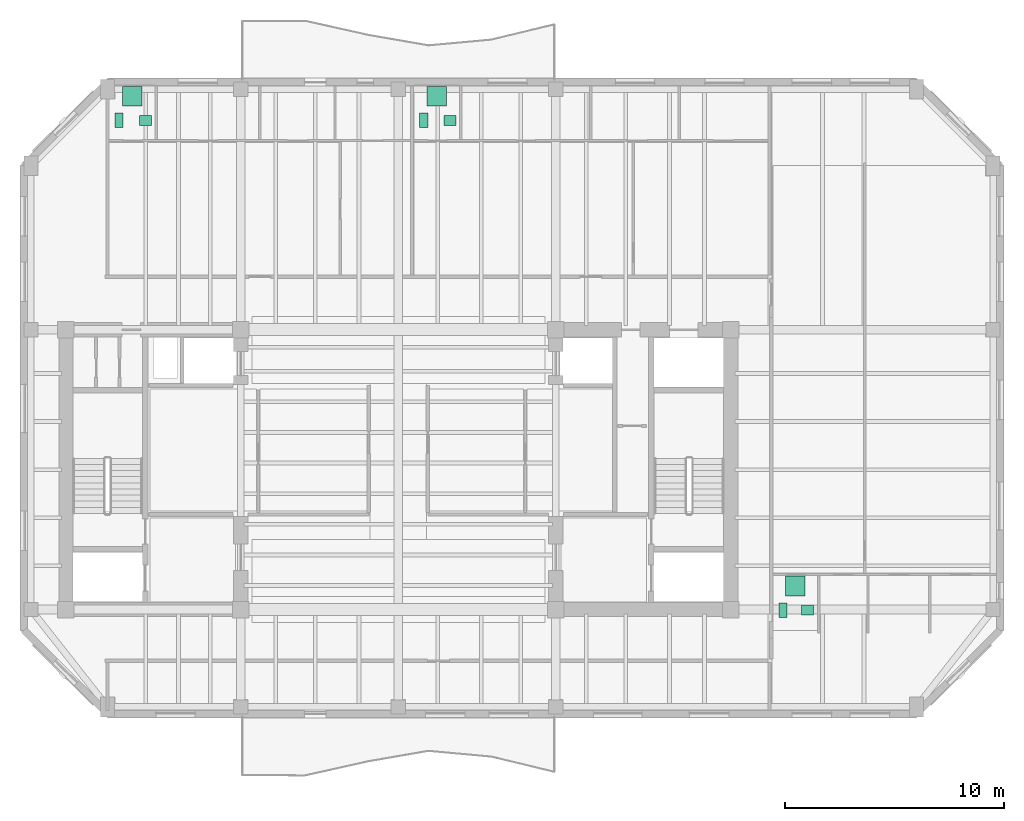
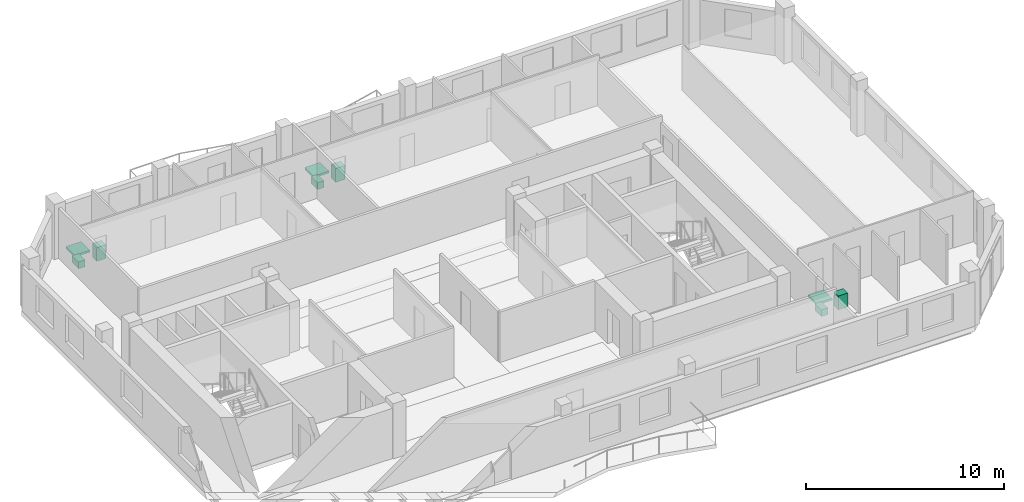
# One storey, part 9 of 9: 9 sanitary terminals.
"""IFC4 building model written with IfcOpenShell, lengths in metres."""

from ifc_helpers import new_model, si_unit, direction, frame, origin, origin_2d, place, context, subcontext, project, spatial, rectangle, extrude, material, type_object, element, save


model = new_model("IFC4")

# Units and contexts
model_context = context("Model", 3, precision=1e-05, world=origin(), true_north=direction((0.0, 1.0)))
body_context = subcontext(model_context, "Body", "Model", "MODEL_VIEW")
ifc_project = project(units=[si_unit("LENGTHUNIT", "METRE"), si_unit("AREAUNIT", "SQUARE_METRE"), si_unit("VOLUMEUNIT", "CUBIC_METRE"), si_unit("PLANEANGLEUNIT", "RADIAN"), si_unit("MASSUNIT", "GRAM", prefix="KILO")], contexts=[model_context])

# Site, building, storey
site_placement = place(None, origin())
site = spatial("IfcSite", under=ifc_project, at=site_placement, CompositionType="ELEMENT")
building_placement = place(site_placement, origin())
building = spatial("IfcBuilding", under=site, at=building_placement, Name="Kranthara Brick Stack", CompositionType="ELEMENT")
storey_placement = place(building_placement, frame((0.0, 0.0, 255.10009765625)))
storey = spatial("IfcBuildingStorey", under=building, at=storey_placement, Name="L67", CompositionType="ELEMENT", Elevation=255.10009765625)

# Sanitary terminals
ifc_material_1 = material(Name="Vitreous china sanitary porcelain", Category="other")
sanitary_terminal_type_1 = type_object("IfcSanitaryTerminalType", Name="SAN-BASIN", PredefinedType="WASHHANDBASIN", material=ifc_material_1)
for number, where, z_axis, x_axis, name in (
    (1, (16.429931640625, 43.175048828125, -0.000244140625), (0.0, 0.0, 1.0), (1.0, 0.0, 0.0), "L67 Washbasin 349"),
    (2, (30.35888671875, 43.175048828125, -0.000244140625), (0.0, 0.0, 1.0), (1.0, 0.0, 0.0), "L67 Washbasin 350"),
    (3, (46.72412109375, 20.77490234375, -0.000244140625), (0.0, 0.0, 1.0), (1.0, 0.0, 0.0), "L67 Washbasin 351"),
):
    element("IfcSanitaryTerminal", number, at=place(storey_placement, frame(where, z_axis=z_axis, x_axis=x_axis)), inside=storey, type_object=sanitary_terminal_type_1, Name=name, PredefinedType="WASHHANDBASIN", context=body_context, shape_type="SweptSolid", body=[
        extrude(rectangle(XDim=0.550048828125, YDim=0.449951171875, at=origin_2d()), origin(), (0.0, 0.0, 1.0), 0.85009765625),
    ])
ifc_material_2 = material(Name="Acrylic and porcelain shower tray", Category="other")
sanitary_terminal_type_2 = type_object("IfcSanitaryTerminalType", Name="SAN-SHOWER", PredefinedType="SHOWER", material=ifc_material_2)
for number, where, z_axis, x_axis, name in (
    (4, (15.830078125, 44.280029296875, -0.000244140625), (0.0, 0.0, 1.0), (1.0, 0.0, 0.0), "L67 Shower Tray 349"),
    (5, (29.759033203125, 44.280029296875, -0.000244140625), (0.0, 0.0, 1.0), (1.0, 0.0, 0.0), "L67 Shower Tray 350"),
    (6, (46.156982421875, 21.8798828125, -0.000244140625), (0.0, 0.0, 1.0), (1.0, 0.0, 0.0), "L67 Shower Tray 351"),
):
    element("IfcSanitaryTerminal", number, at=place(storey_placement, frame(where, z_axis=z_axis, x_axis=x_axis)), inside=storey, type_object=sanitary_terminal_type_2, Name=name, PredefinedType="SHOWER", context=body_context, shape_type="SweptSolid", body=[
        extrude(rectangle(XDim=0.89990234375, YDim=0.89990234375, at=origin_2d()), origin(), (0.0, 0.0, 1.0), 0.1201171875),
    ])
ifc_material_3 = material(Name="Vitreous china sanitary porcelain", Category="other")
sanitary_terminal_type_3 = type_object("IfcSanitaryTerminalType", Name="SAN-WC-PAN", PredefinedType="TOILETPAN", material=ifc_material_3)
for number, where, z_axis, x_axis, name in (
    (7, (15.22998046875, 43.175048828125, 0.0), (0.0, 0.0, 1.0), (1.0, 0.0, 0.0), "L67 WC Pan 349"),
    (8, (29.158935546875, 43.175048828125, 0.0), (0.0, 0.0, 1.0), (1.0, 0.0, 0.0), "L67 WC Pan 350"),
    (9, (45.590087890625, 20.77490234375, 0.0), (0.0, 0.0, 1.0), (1.0, 0.0, 0.0), "L67 WC Pan 351"),
):
    element("IfcSanitaryTerminal", number, at=place(storey_placement, frame(where, z_axis=z_axis, x_axis=x_axis)), inside=storey, type_object=sanitary_terminal_type_3, Name=name, PredefinedType="TOILETPAN", context=body_context, shape_type="SweptSolid", body=[
        extrude(rectangle(XDim=0.3798828125, YDim=0.64990234375, at=origin_2d()), origin(), (0.0, 0.0, 1.0), 0.419921875),
    ])

save(model, "model.ifc")
